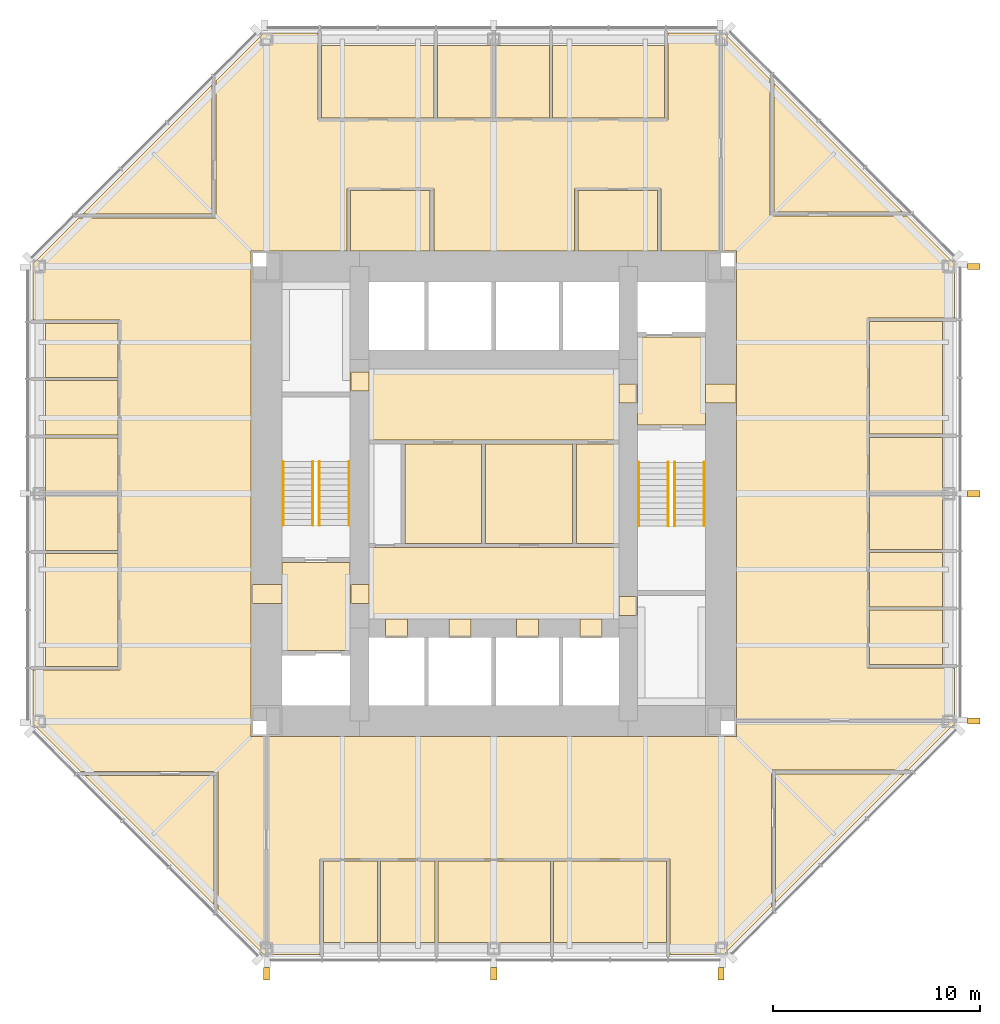
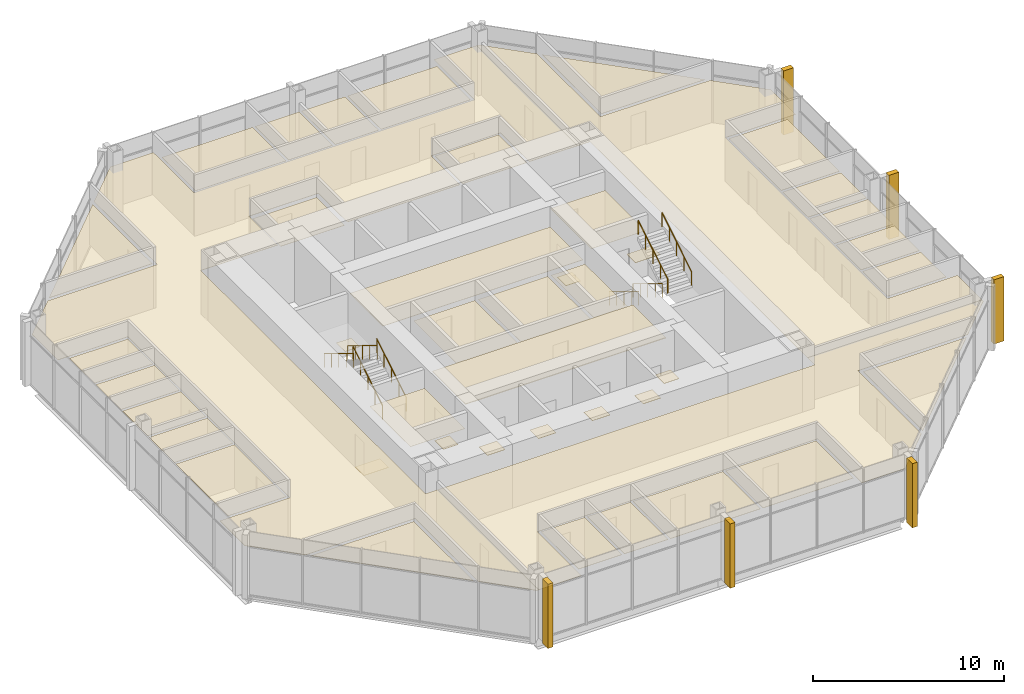
# One storey, part 12 of 12: 50 coverings, 8 railings.
"""IFC4 building model written with IfcOpenShell, lengths in metres."""

from ifc_helpers import new_model, si_unit, direction, frame, origin, origin_2d, place, context, subcontext, project, spatial, polyline, rectangle, circle, outline, extrude, material, layer, layer_set, type_object, element, save


model = new_model("IFC4")

# Units and contexts
model_context = context("Model", 3, precision=1e-05, world=origin(), true_north=direction((0.0, 1.0)))
body_context = subcontext(model_context, "Body", "Model", "MODEL_VIEW")
ifc_project = project(units=[si_unit("LENGTHUNIT", "METRE"), si_unit("AREAUNIT", "SQUARE_METRE"), si_unit("VOLUMEUNIT", "CUBIC_METRE"), si_unit("PLANEANGLEUNIT", "RADIAN"), si_unit("MASSUNIT", "GRAM", prefix="KILO")], contexts=[model_context])

# Site, building, storey
site_placement = place(None, origin())
site = spatial("IfcSite", under=ifc_project, at=site_placement, CompositionType="ELEMENT")
building_placement = place(site_placement, origin())
building = spatial("IfcBuilding", under=site, at=building_placement, Name="Trevanion Tower", CompositionType="ELEMENT")
storey_placement = place(building_placement, frame((0.0, 0.0, 166.39990234375)))
storey = spatial("IfcBuildingStorey", under=building, at=storey_placement, Name="L39", CompositionType="ELEMENT", Elevation=166.39990234375)

# Coverings
ifc_material_1 = material(Name="Fibrous plaster coffers on suspended steel grid", Category="steel")
ifc_layer_1 = layer(ifc_material_1, 0.050048828125)
ifc_layer_set_1 = layer_set([ifc_layer_1], Name="CL1 coffered fibrous plaster ceiling 50")
covering_type_1 = type_object("IfcCoveringType", Name="CL1 coffered fibrous plaster ceiling 50", PredefinedType="CEILING", material=ifc_layer_set_1)
covering_1_placement = place(storey_placement, frame((0.0, 0.0, 3.0)))
element("IfcCovering", 1, at=covering_1_placement, inside=storey, type_object=covering_type_1, Name="CL1 L39-LBS", PredefinedType="CEILING", context=body_context, shape_type="SweptSolid", body=[
    extrude(outline(polyline([(6.050048828125, -6.050048828125), (6.050048828125, -2.60009765625), (-6.050048828125, -2.60009765625), (-6.050048828125, -6.050048828125), (6.050048828125, -6.050048828125)])), origin(), (0.0, 0.0, 1.0), 0.050048828125),
])
ifc_material_2 = material(Name="Mineral fibre acoustic tiles in exposed grid", Category="mineral fibre")
ifc_layer_2 = layer(ifc_material_2, 0.02001953125)
ifc_layer_set_2 = layer_set([ifc_layer_2], Name="CL2 acoustic tile ceiling 20")
covering_type_2 = type_object("IfcCoveringType", Name="CL2 acoustic tile ceiling 20", PredefinedType="CEILING", material=ifc_layer_set_2)
covering_2_placement = place(storey_placement, frame((0.0, 0.0, 2.75)))
element("IfcCovering", 2, at=covering_2_placement, inside=storey, type_object=covering_type_2, Name="CL2 L39-LBN", PredefinedType="CEILING", context=body_context, shape_type="SweptSolid", body=[
    extrude(outline(polyline([(6.050048828125, 2.60009765625), (6.050048828125, 6.050048828125), (-6.050048828125, 6.050048828125), (-6.050048828125, 2.60009765625), (6.050048828125, 2.60009765625)])), origin(), (0.0, 0.0, 1.0), 0.02001953125),
])
covering_3_placement = place(storey_placement, frame((0.0, 0.0, 2.75)))
element("IfcCovering", 3, at=covering_3_placement, inside=storey, type_object=covering_type_2, Name="CL2 L39-OF", PredefinedType="CEILING", context=body_context, shape_type="SweptSolid", body=[
    extrude(outline(polyline([(13.549072265625, 19.875244140625), (19.783203125, 13.64111328125), (13.549072265625, 13.64111328125), (13.549072265625, 19.875244140625)])), origin(), (0.0, 0.0, 1.0), 0.02001953125),
])
covering_4_placement = place(storey_placement, frame((0.0, 0.0, 2.75)))
element("IfcCovering", 4, at=covering_4_placement, inside=storey, type_object=covering_type_2, Name="CL2 L39-MR", PredefinedType="CEILING", context=body_context, shape_type="SweptSolid", body=[
    extrude(outline(polyline([(-19.875244140625, 13.549072265625), (-13.64111328125, 19.783203125), (-13.64111328125, 13.549072265625), (-19.875244140625, 13.549072265625)])), origin(), (0.0, 0.0, 1.0), 0.02001953125),
])
covering_5_placement = place(storey_placement, frame((0.0, 0.0, 2.75)))
element("IfcCovering", 5, at=covering_5_placement, inside=storey, type_object=covering_type_2, Name="CL2 L39-OF2", PredefinedType="CEILING", context=body_context, shape_type="SweptSolid", body=[
    extrude(outline(polyline([(-13.549072265625, -19.875244140625), (-19.783203125, -13.64111328125), (-13.549072265625, -13.64111328125), (-13.549072265625, -19.875244140625)])), origin(), (0.0, 0.0, 1.0), 0.02001953125),
])
covering_6_placement = place(storey_placement, frame((0.0, 0.0, 2.75)))
element("IfcCovering", 6, at=covering_6_placement, inside=storey, type_object=covering_type_2, Name="CL2 L39-MR2", PredefinedType="CEILING", context=body_context, shape_type="SweptSolid", body=[
    extrude(outline(polyline([(19.875244140625, -13.549072265625), (13.64111328125, -19.783203125), (13.64111328125, -13.549072265625), (19.875244140625, -13.549072265625)])), origin(), (0.0, 0.0, 1.0), 0.02001953125),
])
covering_7_placement = place(storey_placement, frame((0.0, 0.0, 2.75)))
element("IfcCovering", 7, at=covering_7_placement, inside=storey, type_object=covering_type_2, Name="CL2 L39-OF3", PredefinedType="CEILING", context=body_context, shape_type="SweptSolid", body=[
    extrude(outline(polyline([(18.175048828125, -8.248046875), (18.175048828125, -5.6240234375), (21.699951171875, -5.6240234375), (21.699951171875, -8.248046875), (18.175048828125, -8.248046875)])), origin(), (0.0, 0.0, 1.0), 0.02001953125),
])
covering_8_placement = place(storey_placement, frame((0.0, 0.0, 2.75)))
element("IfcCovering", 8, at=covering_8_placement, inside=storey, type_object=covering_type_2, Name="CL2 L39-OF4", PredefinedType="CEILING", context=body_context, shape_type="SweptSolid", body=[
    extrude(outline(polyline([(18.175048828125, -5.47412109375), (18.175048828125, -2.85009765625), (21.699951171875, -2.85009765625), (21.699951171875, -5.47412109375), (18.175048828125, -5.47412109375)])), origin(), (0.0, 0.0, 1.0), 0.02001953125),
])
covering_9_placement = place(storey_placement, frame((0.0, 0.0, 2.75)))
element("IfcCovering", 9, at=covering_9_placement, inside=storey, type_object=covering_type_2, Name="CL2 L39-OF5", PredefinedType="CEILING", context=body_context, shape_type="SweptSolid", body=[
    extrude(outline(polyline([(18.175048828125, -2.699951171875), (18.175048828125, -0.074951171875), (21.699951171875, -0.074951171875), (21.699951171875, -2.699951171875), (18.175048828125, -2.699951171875)])), origin(), (0.0, 0.0, 1.0), 0.02001953125),
])
covering_10_placement = place(storey_placement, frame((0.0, 0.0, 2.75)))
element("IfcCovering", 10, at=covering_10_placement, inside=storey, type_object=covering_type_2, Name="CL2 L39-OF6", PredefinedType="CEILING", context=body_context, shape_type="SweptSolid", body=[
    extrude(outline(polyline([(18.175048828125, 0.074951171875), (18.175048828125, 2.73193359375), (21.699951171875, 2.73193359375), (21.699951171875, 0.074951171875), (18.175048828125, 0.074951171875)])), origin(), (0.0, 0.0, 1.0), 0.02001953125),
])
covering_11_placement = place(storey_placement, frame((0.0, 0.0, 2.75)))
element("IfcCovering", 11, at=covering_11_placement, inside=storey, type_object=covering_type_2, Name="CL2 L39-MR3", PredefinedType="CEILING", context=body_context, shape_type="SweptSolid", body=[
    extrude(outline(polyline([(18.175048828125, 2.882080078125), (18.175048828125, 8.345947265625), (21.699951171875, 8.345947265625), (21.699951171875, 2.882080078125), (18.175048828125, 2.882080078125)])), origin(), (0.0, 0.0, 1.0), 0.02001953125),
])
covering_12_placement = place(storey_placement, frame((0.0, 0.0, 2.75)))
element("IfcCovering", 12, at=covering_12_placement, inside=storey, type_object=covering_type_2, Name="CL2 L39-MR4", PredefinedType="CEILING", context=body_context, shape_type="SweptSolid", body=[
    extrude(outline(polyline([(8.248046875, 18.175048828125), (2.85009765625, 18.175048828125), (2.85009765625, 21.699951171875), (8.248046875, 21.699951171875), (8.248046875, 18.175048828125)])), origin(), (0.0, 0.0, 1.0), 0.02001953125),
])
covering_13_placement = place(storey_placement, frame((0.0, 0.0, 2.75)))
element("IfcCovering", 13, at=covering_13_placement, inside=storey, type_object=covering_type_2, Name="CL2 L39-OF7", PredefinedType="CEILING", context=body_context, shape_type="SweptSolid", body=[
    extrude(outline(polyline([(2.699951171875, 18.175048828125), (0.074951171875, 18.175048828125), (0.074951171875, 21.699951171875), (2.699951171875, 21.699951171875), (2.699951171875, 18.175048828125)])), origin(), (0.0, 0.0, 1.0), 0.02001953125),
])
covering_14_placement = place(storey_placement, frame((0.0, 0.0, 2.75)))
element("IfcCovering", 14, at=covering_14_placement, inside=storey, type_object=covering_type_2, Name="CL2 L39-OF8", PredefinedType="CEILING", context=body_context, shape_type="SweptSolid", body=[
    extrude(outline(polyline([(-0.074951171875, 18.175048828125), (-2.73193359375, 18.175048828125), (-2.73193359375, 21.699951171875), (-0.074951171875, 21.699951171875), (-0.074951171875, 18.175048828125)])), origin(), (0.0, 0.0, 1.0), 0.02001953125),
])
covering_15_placement = place(storey_placement, frame((0.0, 0.0, 2.75)))
element("IfcCovering", 15, at=covering_15_placement, inside=storey, type_object=covering_type_2, Name="CL2 L39-MR5", PredefinedType="CEILING", context=body_context, shape_type="SweptSolid", body=[
    extrude(outline(polyline([(-2.882080078125, 18.175048828125), (-8.345947265625, 18.175048828125), (-8.345947265625, 21.699951171875), (-2.882080078125, 21.699951171875), (-2.882080078125, 18.175048828125)])), origin(), (0.0, 0.0, 1.0), 0.02001953125),
])
covering_16_placement = place(storey_placement, frame((0.0, 0.0, 2.75)))
element("IfcCovering", 16, at=covering_16_placement, inside=storey, type_object=covering_type_2, Name="CL2 L39-OF9", PredefinedType="CEILING", context=body_context, shape_type="SweptSolid", body=[
    extrude(outline(polyline([(-18.175048828125, 8.248046875), (-18.175048828125, 5.6240234375), (-21.699951171875, 5.6240234375), (-21.699951171875, 8.248046875), (-18.175048828125, 8.248046875)])), origin(), (0.0, 0.0, 1.0), 0.02001953125),
])
covering_17_placement = place(storey_placement, frame((0.0, 0.0, 2.75)))
element("IfcCovering", 17, at=covering_17_placement, inside=storey, type_object=covering_type_2, Name="CL2 L39-OF10", PredefinedType="CEILING", context=body_context, shape_type="SweptSolid", body=[
    extrude(outline(polyline([(-18.175048828125, 5.47412109375), (-18.175048828125, 2.85009765625), (-21.699951171875, 2.85009765625), (-21.699951171875, 5.47412109375), (-18.175048828125, 5.47412109375)])), origin(), (0.0, 0.0, 1.0), 0.02001953125),
])
covering_18_placement = place(storey_placement, frame((0.0, 0.0, 2.75)))
element("IfcCovering", 18, at=covering_18_placement, inside=storey, type_object=covering_type_2, Name="CL2 L39-OF11", PredefinedType="CEILING", context=body_context, shape_type="SweptSolid", body=[
    extrude(outline(polyline([(-18.175048828125, 2.699951171875), (-18.175048828125, 0.074951171875), (-21.699951171875, 0.074951171875), (-21.699951171875, 2.699951171875), (-18.175048828125, 2.699951171875)])), origin(), (0.0, 0.0, 1.0), 0.02001953125),
])
covering_19_placement = place(storey_placement, frame((0.0, 0.0, 2.75)))
element("IfcCovering", 19, at=covering_19_placement, inside=storey, type_object=covering_type_2, Name="CL2 L39-OF12", PredefinedType="CEILING", context=body_context, shape_type="SweptSolid", body=[
    extrude(outline(polyline([(-18.175048828125, -0.074951171875), (-18.175048828125, -2.73193359375), (-21.699951171875, -2.73193359375), (-21.699951171875, -0.074951171875), (-18.175048828125, -0.074951171875)])), origin(), (0.0, 0.0, 1.0), 0.02001953125),
])
covering_20_placement = place(storey_placement, frame((0.0, 0.0, 2.75)))
element("IfcCovering", 20, at=covering_20_placement, inside=storey, type_object=covering_type_2, Name="CL2 L39-MR6", PredefinedType="CEILING", context=body_context, shape_type="SweptSolid", body=[
    extrude(outline(polyline([(-18.175048828125, -2.882080078125), (-18.175048828125, -8.345947265625), (-21.699951171875, -8.345947265625), (-21.699951171875, -2.882080078125), (-18.175048828125, -2.882080078125)])), origin(), (0.0, 0.0, 1.0), 0.02001953125),
])
covering_21_placement = place(storey_placement, frame((0.0, 0.0, 2.75)))
element("IfcCovering", 21, at=covering_21_placement, inside=storey, type_object=covering_type_2, Name="CL2 L39-OF13", PredefinedType="CEILING", context=body_context, shape_type="SweptSolid", body=[
    extrude(outline(polyline([(-8.248046875, -17.77490234375), (-5.6240234375, -17.77490234375), (-5.6240234375, -21.699951171875), (-8.248046875, -21.699951171875), (-8.248046875, -17.77490234375)])), origin(), (0.0, 0.0, 1.0), 0.02001953125),
])
covering_22_placement = place(storey_placement, frame((0.0, 0.0, 2.75)))
element("IfcCovering", 22, at=covering_22_placement, inside=storey, type_object=covering_type_2, Name="CL2 L39-OF14", PredefinedType="CEILING", context=body_context, shape_type="SweptSolid", body=[
    extrude(outline(polyline([(-5.47412109375, -17.77490234375), (-2.85009765625, -17.77490234375), (-2.85009765625, -21.699951171875), (-5.47412109375, -21.699951171875), (-5.47412109375, -17.77490234375)])), origin(), (0.0, 0.0, 1.0), 0.02001953125),
])
covering_23_placement = place(storey_placement, frame((0.0, 0.0, 2.75)))
element("IfcCovering", 23, at=covering_23_placement, inside=storey, type_object=covering_type_2, Name="CL2 L39-MR7", PredefinedType="CEILING", context=body_context, shape_type="SweptSolid", body=[
    extrude(outline(polyline([(-2.699951171875, -17.77490234375), (2.73193359375, -17.77490234375), (2.73193359375, -21.699951171875), (-2.699951171875, -21.699951171875), (-2.699951171875, -17.77490234375)])), origin(), (0.0, 0.0, 1.0), 0.02001953125),
])
covering_24_placement = place(storey_placement, frame((0.0, 0.0, 2.75)))
element("IfcCovering", 24, at=covering_24_placement, inside=storey, type_object=covering_type_2, Name="CL2 L39-MR8", PredefinedType="CEILING", context=body_context, shape_type="SweptSolid", body=[
    extrude(outline(polyline([(2.882080078125, -17.77490234375), (8.345947265625, -17.77490234375), (8.345947265625, -21.699951171875), (2.882080078125, -21.699951171875), (2.882080078125, -17.77490234375)])), origin(), (0.0, 0.0, 1.0), 0.02001953125),
])
covering_25_placement = place(storey_placement, frame((0.0, 0.0, 2.75)))
element("IfcCovering", 25, at=covering_25_placement, inside=storey, type_object=covering_type_2, Name="CL2 L39-RC", PredefinedType="CEILING", context=body_context, shape_type="SweptSolid", body=[
    extrude(outline(polyline([(4.074951171875, 14.675048828125), (7.925048828125, 14.675048828125), (7.925048828125, 11.75), (4.074951171875, 11.75), (4.074951171875, 14.675048828125)])), origin(), (0.0, 0.0, 1.0), 0.02001953125),
])
covering_26_placement = place(storey_placement, frame((0.0, 0.0, 2.75)))
element("IfcCovering", 26, at=covering_26_placement, inside=storey, type_object=covering_type_2, Name="CL2 L39-OP", PredefinedType="CEILING", context=body_context, shape_type="SweptSolid", body=[
    extrude(outline(polyline([(11.75, 11.75), (11.0, 11.75), (11.0, 22.300048828125), (11.124267578125, 22.300048828125), (13.35400390625, 20.0703125), (13.35400390625, 13.446044921875), (19.978271484375, 13.446044921875), (22.300048828125, 11.124267578125), (22.300048828125, 8.51611328125), (18.080078125, 8.51611328125), (18.080078125, -8.41796875), (22.300048828125, -8.41796875), (22.300048828125, -11.0), (11.75, -11.0), (11.75, 11.75)])), origin(), (0.0, 0.0, 1.0), 0.02001953125),
])
covering_27_placement = place(storey_placement, frame((0.0, 0.0, 2.75)))
element("IfcCovering", 27, at=covering_27_placement, inside=storey, type_object=covering_type_2, Name="CL2 L39-OP2", PredefinedType="CEILING", context=body_context, shape_type="SweptSolid", body=[
    extrude(outline(polyline([(-11.0, -11.75), (-11.0, -22.300048828125), (-11.124267578125, -22.300048828125), (-13.35400390625, -20.0703125), (-13.35400390625, -13.446044921875), (-19.978271484375, -13.446044921875), (-22.300048828125, -11.124267578125), (-22.300048828125, -8.51611328125), (-18.080078125, -8.51611328125), (-18.080078125, 8.41796875), (-22.300048828125, 8.41796875), (-22.300048828125, 11.124267578125), (-20.0703125, 13.35400390625), (-13.446044921875, 13.35400390625), (-13.446044921875, 19.978271484375), (-11.124267578125, 22.300048828125), (-8.51611328125, 22.300048828125), (-8.51611328125, 18.080078125), (8.41796875, 18.080078125), (8.41796875, 22.300048828125), (11.0, 22.300048828125), (11.0, 11.75), (8.094970703125, 11.75), (8.094970703125, 14.77001953125), (3.905029296875, 14.77001953125), (3.905029296875, 11.75), (-2.905029296875, 11.75), (-2.905029296875, 14.77001953125), (-7.094970703125, 14.77001953125), (-7.094970703125, 11.75), (-11.75, 11.75), (-11.75, -11.75), (-11.0, -11.75)])), origin(), (0.0, 0.0, 1.0), 0.02001953125),
])
covering_28_placement = place(storey_placement, frame((0.0, 0.0, 2.75)))
element("IfcCovering", 28, at=covering_28_placement, inside=storey, type_object=covering_type_2, Name="CL2 L39-OP3", PredefinedType="CEILING", context=body_context, shape_type="SweptSolid", body=[
    extrude(outline(polyline([(11.75, -11.75), (11.75, -11.0), (22.300048828125, -11.0), (22.300048828125, -11.124267578125), (20.0703125, -13.35400390625), (13.446044921875, -13.35400390625), (13.446044921875, -19.978271484375), (11.124267578125, -22.300048828125), (8.51611328125, -22.300048828125), (8.51611328125, -17.679931640625), (-8.41796875, -17.679931640625), (-8.41796875, -22.300048828125), (-11.0, -22.300048828125), (-11.0, -11.75), (11.75, -11.75)])), origin(), (0.0, 0.0, 1.0), 0.02001953125),
])
ifc_material_3 = material(Name="Gypsum plasterboard on suspended metal furring", Category="gypsum")
ifc_layer_3 = layer(ifc_material_3, 0.012939453125)
ifc_layer_set_3 = layer_set([ifc_layer_3], Name="CL3 plasterboard ceiling 13")
covering_type_3 = type_object("IfcCoveringType", Name="CL3 plasterboard ceiling 13", PredefinedType="CEILING", material=ifc_layer_set_3)
covering_29_placement = place(storey_placement, frame((0.0, 0.0, 2.7001953125)))
element("IfcCovering", 29, at=covering_29_placement, inside=storey, type_object=covering_type_3, Name="CL3 L39-FV1", PredefinedType="CEILING", context=body_context, shape_type="SweptSolid", body=[
    extrude(outline(polyline([(10.25, 3.324951171875), (10.25, 7.574951171875), (6.949951171875, 7.574951171875), (6.949951171875, 3.324951171875), (10.25, 3.324951171875)])), origin(), (0.0, 0.0, 1.0), 0.012939453125),
])
covering_30_placement = place(storey_placement, frame((0.0, 0.0, 2.7001953125)))
element("IfcCovering", 30, at=covering_30_placement, inside=storey, type_object=covering_type_3, Name="CL3 L39-FV2", PredefinedType="CEILING", context=body_context, shape_type="SweptSolid", body=[
    extrude(outline(polyline([(-10.25, -3.324951171875), (-10.25, -7.574951171875), (-6.949951171875, -7.574951171875), (-6.949951171875, -3.324951171875), (-10.25, -3.324951171875)])), origin(), (0.0, 0.0, 1.0), 0.012939453125),
])
ifc_material_4 = material(Name="Moisture-resistant gypsum board on suspended metal furring", Category="gypsum")
ifc_layer_4 = layer(ifc_material_4, 0.01611328125)
ifc_layer_set_4 = layer_set([ifc_layer_4], Name="CL4 moisture-resistant board ceiling 16")
covering_type_4 = type_object("IfcCoveringType", Name="CL4 moisture-resistant board ceiling 16", PredefinedType="CEILING", material=ifc_layer_set_4)
covering_31_placement = place(storey_placement, frame((0.0, 0.0, 2.60009765625)))
element("IfcCovering", 31, at=covering_31_placement, inside=storey, type_object=covering_type_4, Name="CL4 L39-WCM", PredefinedType="CEILING", context=body_context, shape_type="SweptSolid", body=[
    extrude(outline(polyline([(-0.60009765625, -2.39990234375), (-0.60009765625, 2.39990234375), (-4.300048828125, 2.39990234375), (-4.300048828125, -2.39990234375), (-0.60009765625, -2.39990234375)])), origin(), (0.0, 0.0, 1.0), 0.01611328125),
])
covering_32_placement = place(storey_placement, frame((0.0, 0.0, 2.60009765625)))
element("IfcCovering", 32, at=covering_32_placement, inside=storey, type_object=covering_type_4, Name="CL4 L39-WCF", PredefinedType="CEILING", context=body_context, shape_type="SweptSolid", body=[
    extrude(outline(polyline([(3.800048828125, -2.39990234375), (3.800048828125, 2.39990234375), (-0.39990234375, 2.39990234375), (-0.39990234375, -2.39990234375), (3.800048828125, -2.39990234375)])), origin(), (0.0, 0.0, 1.0), 0.01611328125),
])
covering_33_placement = place(storey_placement, frame((0.0, 0.0, 2.60009765625)))
element("IfcCovering", 33, at=covering_33_placement, inside=storey, type_object=covering_type_4, Name="CL4 L39-WCA", PredefinedType="CEILING", context=body_context, shape_type="SweptSolid", body=[
    extrude(outline(polyline([(6.050048828125, -2.39990234375), (6.050048828125, 2.39990234375), (4.0, 2.39990234375), (4.0, -2.39990234375), (6.050048828125, -2.39990234375)])), origin(), (0.0, 0.0, 1.0), 0.01611328125),
])
covering_34_placement = place(storey_placement, frame((0.0, 0.0, 2.60009765625)))
element("IfcCovering", 34, at=covering_34_placement, inside=storey, type_object=covering_type_4, Name="CL4 L39-PA", PredefinedType="CEILING", context=body_context, shape_type="SweptSolid", body=[
    extrude(outline(polyline([(-6.925048828125, 14.675048828125), (-3.074951171875, 14.675048828125), (-3.074951171875, 11.75), (-6.925048828125, 11.75), (-6.925048828125, 14.675048828125)])), origin(), (0.0, 0.0, 1.0), 0.01611328125),
])
ifc_material_5 = material(Name="Cast bronze fin on aluminium carrier", Category="aluminium")
covering_type_5 = type_object("IfcCoveringType", Name="F1 bronze fin", PredefinedType="CLADDING", material=ifc_material_5)
for number, where, z_axis, x_axis, name in (
    (35, (23.22509765625, -11.0, -0.18994140625), (0.0, 0.0, 1.0), (0.0, 1.0, 0.0), "F1 L39 east -11.0"),
    (36, (23.22509765625, 0.0, -0.18994140625), (0.0, 0.0, 1.0), (0.0, 1.0, 0.0), "F1 L39 east +0.0"),
    (37, (23.22509765625, 11.0, -0.18994140625), (0.0, 0.0, 1.0), (0.0, 1.0, 0.0), "F1 L39 east +11.0"),
    (38, (-11.0, -23.22509765625, -0.18994140625), (0.0, 0.0, 1.0), (1.0, 0.0, 0.0), "F1 L39 south -11.0"),
    (39, (0.0, -23.22509765625, -0.18994140625), (0.0, 0.0, 1.0), (1.0, 0.0, 0.0), "F1 L39 south +0.0"),
    (40, (11.0, -23.22509765625, -0.18994140625), (0.0, 0.0, 1.0), (1.0, 0.0, 0.0), "F1 L39 south +11.0"),
):
    element("IfcCovering", number, at=place(storey_placement, frame(where, z_axis=z_axis, x_axis=x_axis)), inside=storey, type_object=covering_type_5, Name=name, PredefinedType="CLADDING", context=body_context, shape_type="SweptSolid", body=[
        extrude(rectangle(XDim=0.300048828125, YDim=0.60009765625, at=origin_2d()), origin(), (0.0, 0.0, 1.0), 4.10009765625),
    ])
ifc_material_6 = material(Name="Terrazzo, brass divider strips", Category="stone")
ifc_layer_5 = layer(ifc_material_6, 0.02001953125)
ifc_layer_set_5 = layer_set([ifc_layer_5], Name="FF1 terrazzo flooring")
covering_type_6 = type_object("IfcCoveringType", Name="FF1 terrazzo flooring", PredefinedType="FLOORING", material=ifc_layer_set_5)
covering_35_placement = place(storey_placement, origin())
element("IfcCovering", 41, at=covering_35_placement, inside=storey, type_object=covering_type_6, Name="FF1 threshold 39-001", PredefinedType="FLOORING", context=body_context, shape_type="SweptSolid", body=[
    extrude(outline(polyline([(11.75, 4.392578125), (11.75, 5.3076171875), (10.25, 5.3076171875), (10.25, 4.392578125), (11.75, 4.392578125)])), origin(), (0.0, 0.0, 1.0), 0.02001953125),
])
covering_36_placement = place(storey_placement, origin())
element("IfcCovering", 42, at=covering_36_placement, inside=storey, type_object=covering_type_6, Name="FF1 threshold 39-002", PredefinedType="FLOORING", context=body_context, shape_type="SweptSolid", body=[
    extrude(outline(polyline([(-11.75, -4.392578125), (-11.75, -5.3076171875), (-10.25, -5.3076171875), (-10.25, -4.392578125), (-11.75, -4.392578125)])), origin(), (0.0, 0.0, 1.0), 0.02001953125),
])
covering_37_placement = place(storey_placement, origin())
element("IfcCovering", 43, at=covering_37_placement, inside=storey, type_object=covering_type_6, Name="FF1 threshold 39-003", PredefinedType="FLOORING", context=body_context, shape_type="SweptSolid", body=[
    extrude(outline(polyline([(6.949951171875, 4.392578125), (6.949951171875, 5.3076171875), (6.050048828125, 5.3076171875), (6.050048828125, 4.392578125), (6.949951171875, 4.392578125)])), origin(), (0.0, 0.0, 1.0), 0.02001953125),
])
covering_38_placement = place(storey_placement, origin())
element("IfcCovering", 44, at=covering_38_placement, inside=storey, type_object=covering_type_6, Name="FF1 threshold 39-004", PredefinedType="FLOORING", context=body_context, shape_type="SweptSolid", body=[
    extrude(outline(polyline([(-6.949951171875, -4.392578125), (-6.949951171875, -5.3076171875), (-6.050048828125, -5.3076171875), (-6.050048828125, -4.392578125), (-6.949951171875, -4.392578125)])), origin(), (0.0, 0.0, 1.0), 0.02001953125),
])
covering_39_placement = place(storey_placement, origin())
element("IfcCovering", 45, at=covering_39_placement, inside=storey, type_object=covering_type_6, Name="FF1 threshold 39-009", PredefinedType="FLOORING", context=body_context, shape_type="SweptSolid", body=[
    extrude(outline(polyline([(6.949951171875, -5.889892578125), (6.949951171875, -4.97509765625), (6.050048828125, -4.97509765625), (6.050048828125, -5.889892578125), (6.949951171875, -5.889892578125)])), origin(), (0.0, 0.0, 1.0), 0.02001953125),
])
covering_40_placement = place(storey_placement, origin())
element("IfcCovering", 46, at=covering_40_placement, inside=storey, type_object=covering_type_6, Name="FF1 threshold 39-010", PredefinedType="FLOORING", context=body_context, shape_type="SweptSolid", body=[
    extrude(outline(polyline([(-6.949951171875, 5.889892578125), (-6.949951171875, 4.97509765625), (-6.050048828125, 4.97509765625), (-6.050048828125, 5.889892578125), (-6.949951171875, 5.889892578125)])), origin(), (0.0, 0.0, 1.0), 0.02001953125),
])
covering_41_placement = place(storey_placement, origin())
element("IfcCovering", 47, at=covering_41_placement, inside=storey, type_object=covering_type_6, Name="FF1 threshold 39-011", PredefinedType="FLOORING", context=body_context, shape_type="SweptSolid", body=[
    extrude(outline(polyline([(-5.2333984375, -6.949951171875), (-4.16650390625, -6.949951171875), (-4.16650390625, -6.050048828125), (-5.2333984375, -6.050048828125), (-5.2333984375, -6.949951171875)])), origin(), (0.0, 0.0, 1.0), 0.02001953125),
])
covering_42_placement = place(storey_placement, origin())
element("IfcCovering", 48, at=covering_42_placement, inside=storey, type_object=covering_type_6, Name="FF1 threshold 39-012", PredefinedType="FLOORING", context=body_context, shape_type="SweptSolid", body=[
    extrude(outline(polyline([(-2.158447265625, -6.949951171875), (-1.091552734375, -6.949951171875), (-1.091552734375, -6.050048828125), (-2.158447265625, -6.050048828125), (-2.158447265625, -6.949951171875)])), origin(), (0.0, 0.0, 1.0), 0.02001953125),
])
covering_43_placement = place(storey_placement, origin())
element("IfcCovering", 49, at=covering_43_placement, inside=storey, type_object=covering_type_6, Name="FF1 threshold 39-013", PredefinedType="FLOORING", context=body_context, shape_type="SweptSolid", body=[
    extrude(outline(polyline([(1.091552734375, -6.949951171875), (2.158447265625, -6.949951171875), (2.158447265625, -6.050048828125), (1.091552734375, -6.050048828125), (1.091552734375, -6.949951171875)])), origin(), (0.0, 0.0, 1.0), 0.02001953125),
])
covering_44_placement = place(storey_placement, origin())
element("IfcCovering", 50, at=covering_44_placement, inside=storey, type_object=covering_type_6, Name="FF1 threshold 39-014", PredefinedType="FLOORING", context=body_context, shape_type="SweptSolid", body=[
    extrude(outline(polyline([(4.16650390625, -6.949951171875), (5.2333984375, -6.949951171875), (5.2333984375, -6.050048828125), (4.16650390625, -6.050048828125), (4.16650390625, -6.949951171875)])), origin(), (0.0, 0.0, 1.0), 0.02001953125),
])

# Railings
ifc_material_7 = material(Name="Stainless steel tube 40 mm", Category="steel")
railing_type = type_object("IfcRailingType", Name="HR1 handrail", PredefinedType="HANDRAIL", material=ifc_material_7)
for number, where, name in (
    (51, (7.010009765625, 1.52490234375, 0.1708984375), "HR1 ST1 L39 flight 1"),
    (52, (8.43994140625, 1.52490234375, 0.1708984375), "HR1 ST1 L39 flight 1"),
):
    element("IfcRailing", number, at=place(storey_placement, frame(where)), inside=storey, type_object=railing_type, Name=name, PredefinedType="HANDRAIL", context=body_context, shape_type="SweptSolid", body=[
        extrude(circle(Radius=0.02001953125, at=origin_2d()), frame((0.0, 0.0, 0.8798828125), z_axis=(0.0, -0.853647949592, 0.520850437417), x_axis=(1.0, 0.0, 0.0)), (0.0, 0.0, 1.0), 3.60791015625),
        extrude(circle(Radius=0.01513671875, at=origin_2d()), origin(), (0.0, 0.0, 1.0), 0.85986328125),
        extrude(circle(Radius=0.01513671875, at=origin_2d()), frame((0.0, -0.77001953125, 0.4697265625)), (0.0, 0.0, 1.0), 0.85986328125),
        extrude(circle(Radius=0.01513671875, at=origin_2d()), frame((0.0, -1.5400390625, 0.939453125)), (0.0, 0.0, 1.0), 0.85986328125),
        extrude(circle(Radius=0.01513671875, at=origin_2d()), frame((0.0, -2.309814453125, 1.409423828125)), (0.0, 0.0, 1.0), 0.85986328125),
        extrude(circle(Radius=0.01513671875, at=origin_2d()), frame((0.0, -3.079833984375, 1.879150390625)), (0.0, 0.0, 1.0), 0.85986328125),
    ])
for number, where, name in (
    (53, (8.760009765625, -1.554931640625, 2.220947265625), "HR1 ST1 L39 flight 2"),
    (54, (10.18994140625, -1.554931640625, 2.220947265625), "HR1 ST1 L39 flight 2"),
    (55, (-7.010009765625, -1.52490234375, 0.1708984375), "HR1 ST2 L39 flight 1"),
    (56, (-8.43994140625, -1.52490234375, 0.1708984375), "HR1 ST2 L39 flight 1"),
):
    element("IfcRailing", number, at=place(storey_placement, frame(where)), inside=storey, type_object=railing_type, Name=name, PredefinedType="HANDRAIL", context=body_context, shape_type="SweptSolid", body=[
        extrude(circle(Radius=0.02001953125, at=origin_2d()), frame((0.0, 0.0, 0.8798828125), z_axis=(0.0, 0.853647949592, 0.520850437417), x_axis=(-1.0, 0.0, 0.0)), (0.0, 0.0, 1.0), 3.60791015625),
        extrude(circle(Radius=0.01513671875, at=origin_2d()), origin(), (0.0, 0.0, 1.0), 0.85986328125),
        extrude(circle(Radius=0.01513671875, at=origin_2d()), frame((0.0, 0.77001953125, 0.4697265625)), (0.0, 0.0, 1.0), 0.85986328125),
        extrude(circle(Radius=0.01513671875, at=origin_2d()), frame((0.0, 1.5400390625, 0.939453125)), (0.0, 0.0, 1.0), 0.85986328125),
        extrude(circle(Radius=0.01513671875, at=origin_2d()), frame((0.0, 2.309814453125, 1.409423828125)), (0.0, 0.0, 1.0), 0.85986328125),
        extrude(circle(Radius=0.01513671875, at=origin_2d()), frame((0.0, 3.079833984375, 1.879150390625)), (0.0, 0.0, 1.0), 0.85986328125),
    ])
for number, where, name in (
    (57, (-8.760009765625, 1.554931640625, 2.220947265625), "HR1 ST2 L39 flight 2"),
    (58, (-10.18994140625, 1.554931640625, 2.220947265625), "HR1 ST2 L39 flight 2"),
):
    element("IfcRailing", number, at=place(storey_placement, frame(where)), inside=storey, type_object=railing_type, Name=name, PredefinedType="HANDRAIL", context=body_context, shape_type="SweptSolid", body=[
        extrude(circle(Radius=0.02001953125, at=origin_2d()), frame((0.0, 0.0, 0.8798828125), z_axis=(0.0, -0.853647949592, 0.520850437417), x_axis=(1.0, 0.0, 0.0)), (0.0, 0.0, 1.0), 3.60791015625),
        extrude(circle(Radius=0.01513671875, at=origin_2d()), origin(), (0.0, 0.0, 1.0), 0.85986328125),
        extrude(circle(Radius=0.01513671875, at=origin_2d()), frame((0.0, -0.77001953125, 0.4697265625)), (0.0, 0.0, 1.0), 0.85986328125),
        extrude(circle(Radius=0.01513671875, at=origin_2d()), frame((0.0, -1.5400390625, 0.939453125)), (0.0, 0.0, 1.0), 0.85986328125),
        extrude(circle(Radius=0.01513671875, at=origin_2d()), frame((0.0, -2.309814453125, 1.409423828125)), (0.0, 0.0, 1.0), 0.85986328125),
        extrude(circle(Radius=0.01513671875, at=origin_2d()), frame((0.0, -3.079833984375, 1.879150390625)), (0.0, 0.0, 1.0), 0.85986328125),
    ])

save(model, "model.ifc")
